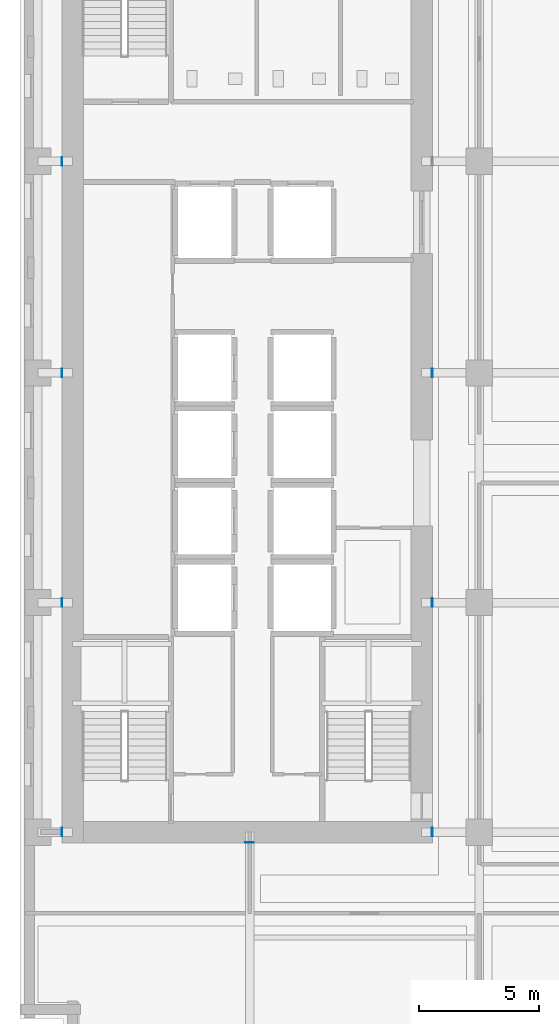
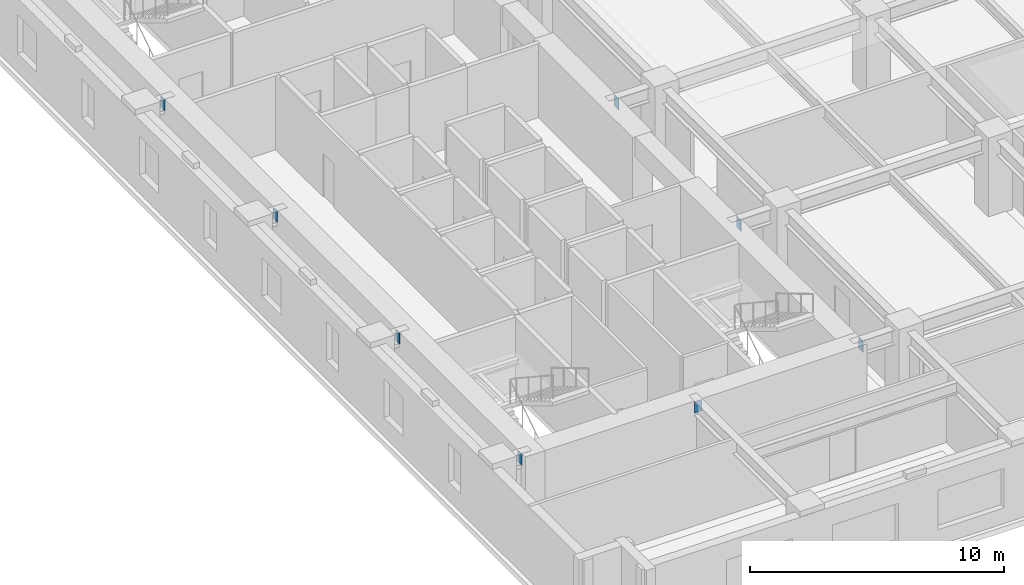
# One storey, part 9 of 16: 8 discrete accessories.
"""IFC4 building model written with IfcOpenShell, lengths in metres."""

from ifc_helpers import new_model, si_unit, direction, frame, origin, origin_2d, place, context, subcontext, project, spatial, rectangle, extrude, material, layer, layer_set, type_object, element, save


model = new_model("IFC4")

# Units and contexts
model_context = context("Model", 3, precision=1e-05, world=origin(), true_north=direction((0.0, 1.0)))
body_context = subcontext(model_context, "Body", "Model", "MODEL_VIEW")
ifc_project = project(units=[si_unit("LENGTHUNIT", "METRE"), si_unit("AREAUNIT", "SQUARE_METRE"), si_unit("VOLUMEUNIT", "CUBIC_METRE"), si_unit("PLANEANGLEUNIT", "RADIAN"), si_unit("MASSUNIT", "GRAM", prefix="KILO")], contexts=[model_context])

# Site, building, storey
site_placement = place(None, origin())
site = spatial("IfcSite", under=ifc_project, at=site_placement, CompositionType="ELEMENT")
building_placement = place(site_placement, origin())
building = spatial("IfcBuilding", under=site, at=building_placement, Name="Norrvale University Quadrangle", CompositionType="ELEMENT")
storey_placement = place(building_placement, frame((0.0, 0.0, 58.39990234375)))
storey = spatial("IfcBuildingStorey", under=building, at=storey_placement, Name="L14", CompositionType="ELEMENT", Elevation=58.39990234375)

# Discrete accessories
ifc_material = material(Name="Steel 350W", Category="steel")
ifc_layer = layer(ifc_material, 0.02490234375, Name="Steel 350W")
ifc_layer_set = layer_set([ifc_layer], Name="Steel 350W")
discrete_accessory_type = type_object("IfcDiscreteAccessoryType", Name="Accessory Cast In Embed Plate", PredefinedType="ANCHORPLATE", material=ifc_layer_set)
for number, where, z_axis, x_axis, name in (
    (1, (1.762451171875, 9.60009765625, 2.9599609375), (0.0, 0.0, 1.0), (1.0, 0.0, 0.0), "Core Wall Cast-in Embed Plate L14-GCW069"),
    (2, (17.237548828125, 9.60009765625, 2.9599609375), (0.0, 0.0, 1.0), (1.0, 0.0, 0.0), "Core Wall Cast-in Embed Plate L14-GCE070"),
    (3, (1.762451171875, 19.199951171875, 2.9599609375), (0.0, 0.0, 1.0), (1.0, 0.0, 0.0), "Core Wall Cast-in Embed Plate L14-GCW071"),
    (4, (17.237548828125, 19.199951171875, 2.9599609375), (0.0, 0.0, 1.0), (1.0, 0.0, 0.0), "Core Wall Cast-in Embed Plate L14-GCE072"),
    (5, (1.762451171875, 28.800048828125, 2.9599609375), (0.0, 0.0, 1.0), (1.0, 0.0, 0.0), "Core Wall Cast-in Embed Plate L14-GCW073"),
    (6, (17.237548828125, 28.800048828125, 2.9599609375), (0.0, 0.0, 1.0), (1.0, 0.0, 0.0), "Core Wall Cast-in Embed Plate L14-GCE074"),
    (7, (1.762451171875, 37.64990234375, 2.9599609375), (0.0, 0.0, 1.0), (1.0, 0.0, 0.0), "Core Wall Cast-in Embed Plate L14-GCW075"),
):
    element("IfcDiscreteAccessory", number, at=place(storey_placement, frame(where, z_axis=z_axis, x_axis=x_axis)), inside=storey, type_object=discrete_accessory_type, Name=name, PredefinedType="ANCHORPLATE", context=body_context, shape_type="SweptSolid", body=[
        extrude(rectangle(XDim=0.02490234375, YDim=0.35009765625, at=origin_2d()), origin(), (0.0, 0.0, 1.0), 0.5400390625),
    ])
discrete_accessory_placement = place(storey_placement, frame((9.60009765625, 9.16259765625, 2.9599609375), z_axis=(0.0, 0.0, 1.0), x_axis=(1.0, 0.0, 0.0)))
element("IfcDiscreteAccessory", 8, at=discrete_accessory_placement, inside=storey, type_object=discrete_accessory_type, Name="Core Wall Cast-in Embed Plate L14-GCS101", PredefinedType="ANCHORPLATE", context=body_context, shape_type="SweptSolid", body=[
    extrude(rectangle(XDim=0.35009765625, YDim=0.02490234375, at=origin_2d()), origin(), (0.0, 0.0, 1.0), 0.5400390625),
])

save(model, "model.ifc")
